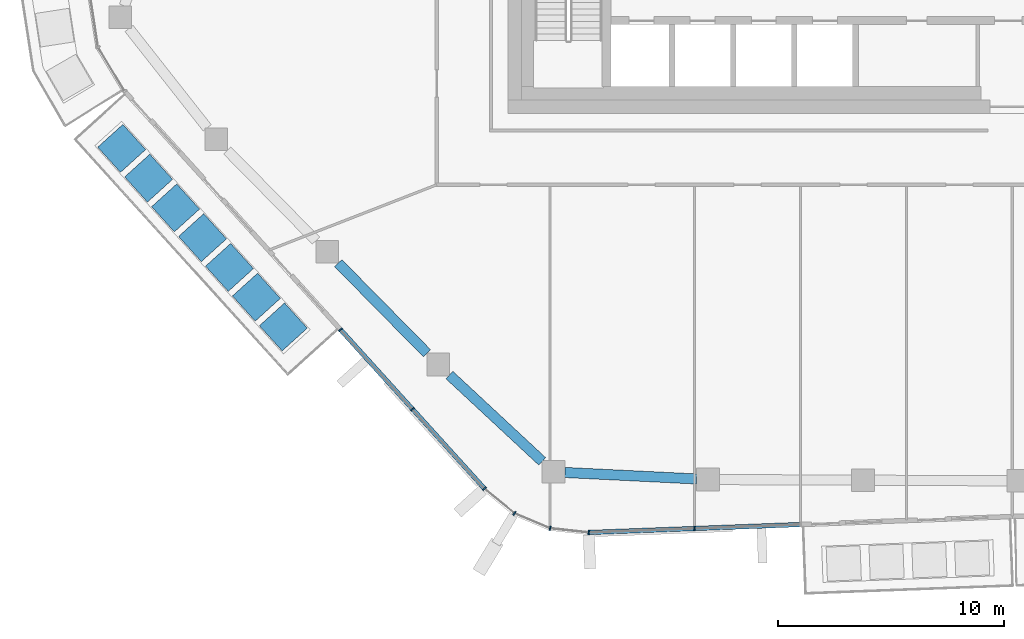
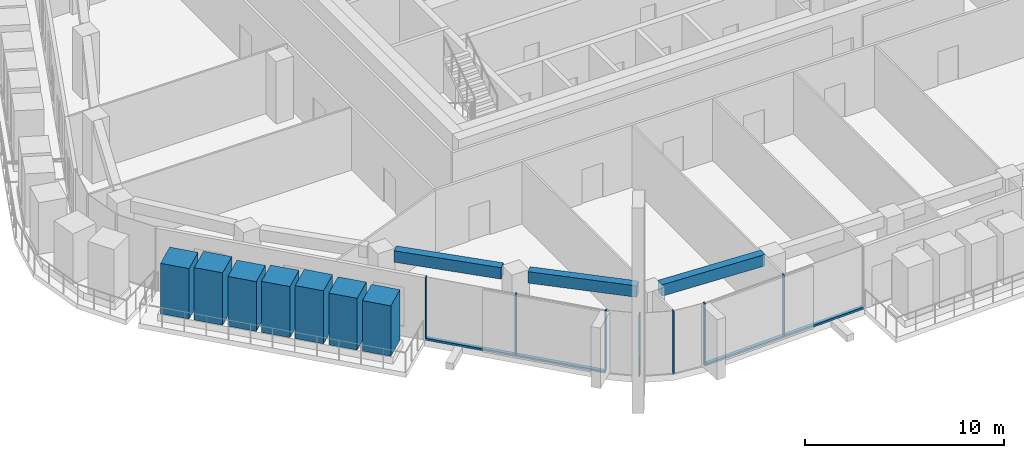
# One storey, part 2 of 24: 16 members, 3 beams, 3 elements without a shape of their own.
"""IFC4 building model written with IfcOpenShell, lengths in metres."""

from ifc_helpers import new_model, si_unit, direction, frame, origin, origin_2d, place, context, subcontext, project, spatial, rectangle, extrude, material, layer, layer_set, material_profile, profile_set, type_object, element, aggregate, save


model = new_model("IFC4")

# Units and contexts
model_context = context("Model", 3, precision=1e-05, world=origin(), true_north=direction((0.0, 1.0)))
body_context = subcontext(model_context, "Body", "Model", "MODEL_VIEW")
ifc_project = project(units=[si_unit("LENGTHUNIT", "METRE"), si_unit("AREAUNIT", "SQUARE_METRE"), si_unit("VOLUMEUNIT", "CUBIC_METRE"), si_unit("PLANEANGLEUNIT", "RADIAN"), si_unit("MASSUNIT", "GRAM", prefix="KILO")], contexts=[model_context])

# Site, building, storey
site_placement = place(None, origin())
site = spatial("IfcSite", under=ifc_project, at=site_placement, CompositionType="ELEMENT")
building_placement = place(site_placement, origin())
building = spatial("IfcBuilding", under=site, at=building_placement, Name="Dongbaek Canopy Tower", CompositionType="ELEMENT")
storey_placement = place(building_placement, frame((0.0, 0.0, 306.800048828125)))
storey = spatial("IfcBuildingStorey", under=building, at=storey_placement, Name="L65", CompositionType="ELEMENT", Elevation=306.800048828125)

# Curtain wall, members
ifc_material_1 = material(Name="Aluminium 6063-T6 pale anodised", Category="aluminium")
ifc_layer = layer(ifc_material_1, 0.199951171875)
ifc_layer_set = layer_set([ifc_layer], Name="CW-1 unitised tower curtain wall")
curtain_wall_type = type_object("IfcCurtainWallType", Name="CW-1 unitised tower curtain wall", PredefinedType="NOTDEFINED", material=ifc_layer_set)
curtain_wall_1_placement = place(storey_placement, origin())
curtain_wall_1 = element("IfcCurtainWall", 1, at=curtain_wall_1_placement, inside=storey, type_object=curtain_wall_type, Name="CW-1 curtain wall F3.1", PredefinedType="NOTDEFINED")
ifc_material_2 = material(Name="Aluminium 6063-T6 pale anodised", Category="aluminium")
ifc_material_profile_1 = material_profile(ifc_material_2, rectangle(XDim=0.199951171875, YDim=0.06005859375, at=origin_2d()), Name="CW-1 mullion 60 x 200")
ifc_profile_set_1 = profile_set([ifc_material_profile_1], Name="Aluminium 6063-T6 pale anodised")
member_type_1 = type_object("IfcMemberType", Name="CW-1 mullion 60 x 200", PredefinedType="MULLION", material=ifc_profile_set_1)
member_1_placement = place(storey_placement, frame((-21.392822265625, -20.550048828125, 0.119873046875), z_axis=(0.0, 0.0, 1.0), x_axis=(-0.741254096478, -0.671224526112, 0.0)))
member_1 = element("IfcMember", 2, at=member_1_placement, type_object=member_type_1, Name="CW-1 mullion F3.1.1", PredefinedType="MULLION", context=body_context, shape_type="SweptSolid", body=[
    extrude(rectangle(XDim=0.199951171875, YDim=0.06005859375, at=origin_2d()), origin(), (0.0, 0.0, 1.0), 3.7001953125),
])
member_2_placement = place(storey_placement, frame((-18.213134765625, -24.0615234375, 0.119873046875), z_axis=(0.0, 0.0, 1.0), x_axis=(-0.741254096478, -0.671224526112, 0.0)))
member_2 = element("IfcMember", 3, at=member_2_placement, type_object=member_type_1, Name="CW-1 mullion F3.1.2", PredefinedType="MULLION", context=body_context, shape_type="SweptSolid", body=[
    extrude(rectangle(XDim=0.199951171875, YDim=0.06005859375, at=origin_2d()), origin(), (0.0, 0.0, 1.0), 3.7001953125),
])
member_3_placement = place(storey_placement, frame((-15.038330078125, -27.567626953125, 0.119873046875), z_axis=(0.0, 0.0, 1.0), x_axis=(-0.741254096478, -0.671224526112, 0.0)))
member_3 = element("IfcMember", 4, at=member_3_placement, type_object=member_type_1, Name="CW-1 mullion F3.1.3", PredefinedType="MULLION", context=body_context, shape_type="SweptSolid", body=[
    extrude(rectangle(XDim=0.199951171875, YDim=0.06005859375, at=origin_2d()), origin(), (0.0, 0.0, 1.0), 3.7001953125),
])

curtain_wall_2_placement = place(storey_placement, origin())
curtain_wall_2 = element("IfcCurtainWall", 5, at=curtain_wall_2_placement, inside=storey, type_object=curtain_wall_type, Name="CW-1 curtain wall K4.1", PredefinedType="NOTDEFINED")
member_4_placement = place(storey_placement, frame((-13.71337890625, -28.66015625, 0.0), z_axis=(0.0, 0.0, 1.0), x_axis=(-0.517606246917, -0.855618941558, 0.0)))
member_4 = element("IfcMember", 6, at=member_4_placement, type_object=member_type_1, Name="CW-1 mullion K4.1.2", PredefinedType="MULLION", context=body_context, shape_type="SweptSolid", body=[
    extrude(rectangle(XDim=0.199951171875, YDim=0.06005859375, at=origin_2d()), origin(), (0.0, 0.0, 1.0), 3.820068359375),
])
member_5_placement = place(storey_placement, frame((-12.137451171875, -29.32373046875, 0.0), z_axis=(0.0, 0.0, 1.0), x_axis=(-0.25046929591, -0.968124543541, 0.0)))
member_5 = element("IfcMember", 7, at=member_5_placement, type_object=member_type_1, Name="CW-1 mullion K4.1.3", PredefinedType="MULLION", context=body_context, shape_type="SweptSolid", body=[
    extrude(rectangle(XDim=0.199951171875, YDim=0.06005859375, at=origin_2d()), origin(), (0.0, 0.0, 1.0), 3.820068359375),
])
member_6_placement = place(storey_placement, frame((-10.43017578125, -29.50830078125, 0.0), z_axis=(0.0, 0.0, 1.0), x_axis=(-0.107513799439, -0.994203592294, 0.0)))
member_6 = element("IfcMember", 8, at=member_6_placement, type_object=member_type_1, Name="CW-1 mullion K4.1.4", PredefinedType="MULLION", context=body_context, shape_type="SweptSolid", body=[
    extrude(rectangle(XDim=0.199951171875, YDim=0.06005859375, at=origin_2d()), origin(), (0.0, 0.0, 1.0), 3.820068359375),
])
aggregate(curtain_wall_2, [member_4, member_5, member_6])

# Curtain wall, member
curtain_wall_3_placement = place(storey_placement, origin())
curtain_wall_3 = element("IfcCurtainWall", 9, at=curtain_wall_3_placement, inside=storey, type_object=curtain_wall_type, Name="CW-1 curtain wall F4.1", PredefinedType="NOTDEFINED")
member_7_placement = place(storey_placement, frame((-5.75830078125, -29.33203125, 0.119873046875), z_axis=(0.0, 0.0, 1.0), x_axis=(0.037712000431, -0.999288649502, 0.0)))
member_7 = element("IfcMember", 10, at=member_7_placement, type_object=member_type_1, Name="CW-1 mullion F4.1.2", PredefinedType="MULLION", context=body_context, shape_type="SweptSolid", body=[
    extrude(rectangle(XDim=0.199951171875, YDim=0.06005859375, at=origin_2d()), origin(), (0.0, 0.0, 1.0), 3.7001953125),
])

# Member
ifc_material_3 = material(Name="Aluminium 6063-T6 pale anodised", Category="aluminium")
ifc_material_profile_2 = material_profile(ifc_material_3, rectangle(XDim=0.199951171875, YDim=0.1201171875, at=origin_2d()), Name="CW-1 transom 120 x 200")
ifc_profile_set_2 = profile_set([ifc_material_profile_2], Name="Aluminium 6063-T6 pale anodised")
member_type_2 = type_object("IfcMemberType", Name="CW-1 transom 120 x 200", PredefinedType="USERDEFINED", material=ifc_profile_set_2)
member_8_placement = place(storey_placement, frame((-21.392822265625, -20.550048828125, 0.06005859375), z_axis=(0.671218482557, -0.741259569027, 0.0), x_axis=(0.741259569027, 0.671218482557, 0.0)))
member_8 = element("IfcMember", 11, at=member_8_placement, type_object=member_type_2, Name="CW-1 transom F3.1.1", ObjectType="TRANSOM", PredefinedType="USERDEFINED", context=body_context, shape_type="SweptSolid", body=[
    extrude(rectangle(XDim=0.199951171875, YDim=0.1201171875, at=origin_2d()), origin(), (0.0, 0.0, 1.0), 9.467041015625),
])

aggregate(curtain_wall_1, [member_1, member_2, member_3, member_8])

member_9_placement = place(storey_placement, frame((-10.43017578125, -29.50830078125, 0.06005859375), z_axis=(0.999289151831, 0.037698687424, 0.0), x_axis=(-0.037698687424, 0.999289151831, 0.0)))
member_9 = element("IfcMember", 12, at=member_9_placement, type_object=member_type_2, Name="CW-1 transom F4.1.1", ObjectType="TRANSOM", PredefinedType="USERDEFINED", context=body_context, shape_type="SweptSolid", body=[
    extrude(rectangle(XDim=0.199951171875, YDim=0.1201171875, at=origin_2d()), origin(), (0.0, 0.0, 1.0), 9.35791015625),
])

aggregate(curtain_wall_3, [member_7, member_9])

# Beams
ifc_material_4 = material(Name="Concrete C60", Category="concrete")
ifc_material_profile_3 = material_profile(ifc_material_4, rectangle(XDim=0.449951171875, YDim=0.699951171875, at=origin_2d()), Name="RC EDGE BEAM 450x700 C60")
ifc_profile_set_3 = profile_set([ifc_material_profile_3], Name="Concrete C60")
beam_type = type_object("IfcBeamType", Name="RC EDGE BEAM 450x700 C60", PredefinedType="BEAM", material=ifc_profile_set_3)
beam_1_placement = place(storey_placement, frame((-5.666015625, -27.142333984375, 3.469970703125), z_axis=(-0.998789160621, 0.049195656579, 0.0), x_axis=(-0.049195656579, -0.998789160621, 0.0)))
element("IfcBeam", 13, at=beam_1_placement, inside=storey, type_object=beam_type, Name="EDGEBEAM:L65:03", PredefinedType="BEAM", context=body_context, shape_type="SweptSolid", body=[
    extrude(rectangle(XDim=0.449951171875, YDim=0.699951171875, at=origin_2d()), origin(), (0.0, 0.0, 1.0), 5.826171875),
])
beam_2_placement = place(storey_placement, frame((-12.485107421875, -26.365966796875, 3.469970703125), z_axis=(-0.732266655485, 0.681018021248, 0.0), x_axis=(-0.681018021248, -0.732266655485, 0.0)))
element("IfcBeam", 14, at=beam_2_placement, inside=storey, type_object=beam_type, Name="EDGEBEAM:L65:04", PredefinedType="BEAM", context=body_context, shape_type="SweptSolid", body=[
    extrude(rectangle(XDim=0.449951171875, YDim=0.699951171875, at=origin_2d()), origin(), (0.0, 0.0, 1.0), 5.597412109375),
])
beam_3_placement = place(storey_placement, frame((-17.576416015625, -21.589111328125, 3.469970703125), z_axis=(-0.701706740597, 0.712465894062, 0.0), x_axis=(-0.712465894062, -0.701706740597, 0.0)))
element("IfcBeam", 15, at=beam_3_placement, inside=storey, type_object=beam_type, Name="EDGEBEAM:L65:05", PredefinedType="BEAM", context=body_context, shape_type="SweptSolid", body=[
    extrude(rectangle(XDim=0.449951171875, YDim=0.699951171875, at=origin_2d()), origin(), (0.0, 0.0, 1.0), 5.58203125),
])

# Members
ifc_material_5 = material(Name="Concrete C40/50 planter mass with planting", Category="concrete")
ifc_material_profile_4 = material_profile(ifc_material_5, rectangle(XDim=1.5, YDim=1.5, at=origin_2d()), Name="Terrace PLANTER shrub mass 1500 x 1500")
ifc_profile_set_4 = profile_set([ifc_material_profile_4], Name="Concrete C40/50 planter mass with planting")
member_type_3 = type_object("IfcMemberType", Name="Terrace PLANTER shrub mass 1500 x 1500", PredefinedType="USERDEFINED", material=ifc_profile_set_4)
member_10_placement = place(storey_placement, frame((-31.059814453125, -12.541259765625, 0.419921875), z_axis=(0.0, 0.0, 1.0), x_axis=(-0.741254096478, -0.671224526112, 0.0)))
element("IfcMember", 16, at=member_10_placement, inside=storey, type_object=member_type_3, Name="Planter shrubs L65 3.1", ObjectType="PLANTER", PredefinedType="USERDEFINED", context=body_context, shape_type="SweptSolid", body=[
    extrude(rectangle(XDim=1.5, YDim=1.5, at=origin_2d()), origin(), (0.0, 0.0, 1.0), 3.090087890625),
])
member_11_placement = place(storey_placement, frame((-29.86962890625, -13.855712890625, 0.419921875), z_axis=(0.0, 0.0, 1.0), x_axis=(-0.741254096478, -0.671224526112, 0.0)))
element("IfcMember", 17, at=member_11_placement, inside=storey, type_object=member_type_3, Name="Planter shrubs L65 3.2", ObjectType="PLANTER", PredefinedType="USERDEFINED", context=body_context, shape_type="SweptSolid", body=[
    extrude(rectangle(XDim=1.5, YDim=1.5, at=origin_2d()), origin(), (0.0, 0.0, 1.0), 3.2099609375),
])
member_12_placement = place(storey_placement, frame((-28.679443359375, -15.169921875, 0.419921875), z_axis=(0.0, 0.0, 1.0), x_axis=(-0.741254096478, -0.671224526112, 0.0)))
element("IfcMember", 18, at=member_12_placement, inside=storey, type_object=member_type_3, Name="Planter shrubs L65 3.3", ObjectType="PLANTER", PredefinedType="USERDEFINED", context=body_context, shape_type="SweptSolid", body=[
    extrude(rectangle(XDim=1.5, YDim=1.5, at=origin_2d()), origin(), (0.0, 0.0, 1.0), 3.050048828125),
])
member_13_placement = place(storey_placement, frame((-27.4892578125, -16.484375, 0.419921875), z_axis=(0.0, 0.0, 1.0), x_axis=(-0.741254096478, -0.671224526112, 0.0)))
element("IfcMember", 19, at=member_13_placement, inside=storey, type_object=member_type_3, Name="Planter shrubs L65 3.4", ObjectType="PLANTER", PredefinedType="USERDEFINED", context=body_context, shape_type="SweptSolid", body=[
    extrude(rectangle(XDim=1.5, YDim=1.5, at=origin_2d()), origin(), (0.0, 0.0, 1.0), 3.130126953125),
])
member_14_placement = place(storey_placement, frame((-26.29931640625, -17.798583984375, 0.419921875), z_axis=(0.0, 0.0, 1.0), x_axis=(-0.741254096478, -0.671224526112, 0.0)))
element("IfcMember", 20, at=member_14_placement, inside=storey, type_object=member_type_3, Name="Planter shrubs L65 3.5", ObjectType="PLANTER", PredefinedType="USERDEFINED", context=body_context, shape_type="SweptSolid", body=[
    extrude(rectangle(XDim=1.5, YDim=1.5, at=origin_2d()), origin(), (0.0, 0.0, 1.0), 3.25),
])
member_15_placement = place(storey_placement, frame((-25.109130859375, -19.113037109375, 0.419921875), z_axis=(0.0, 0.0, 1.0), x_axis=(-0.741254096478, -0.671224526112, 0.0)))
element("IfcMember", 21, at=member_15_placement, inside=storey, type_object=member_type_3, Name="Planter shrubs L65 3.6", ObjectType="PLANTER", PredefinedType="USERDEFINED", context=body_context, shape_type="SweptSolid", body=[
    extrude(rectangle(XDim=1.5, YDim=1.5, at=origin_2d()), origin(), (0.0, 0.0, 1.0), 3.169921875),
])
member_16_placement = place(storey_placement, frame((-23.9189453125, -20.42724609375, 0.419921875), z_axis=(0.0, 0.0, 1.0), x_axis=(-0.741254096478, -0.671224526112, 0.0)))
element("IfcMember", 22, at=member_16_placement, inside=storey, type_object=member_type_3, Name="Planter shrubs L65 3.7", ObjectType="PLANTER", PredefinedType="USERDEFINED", context=body_context, shape_type="SweptSolid", body=[
    extrude(rectangle(XDim=1.5, YDim=1.5, at=origin_2d()), origin(), (0.0, 0.0, 1.0), 3.090087890625),
])

save(model, "model.ifc")
